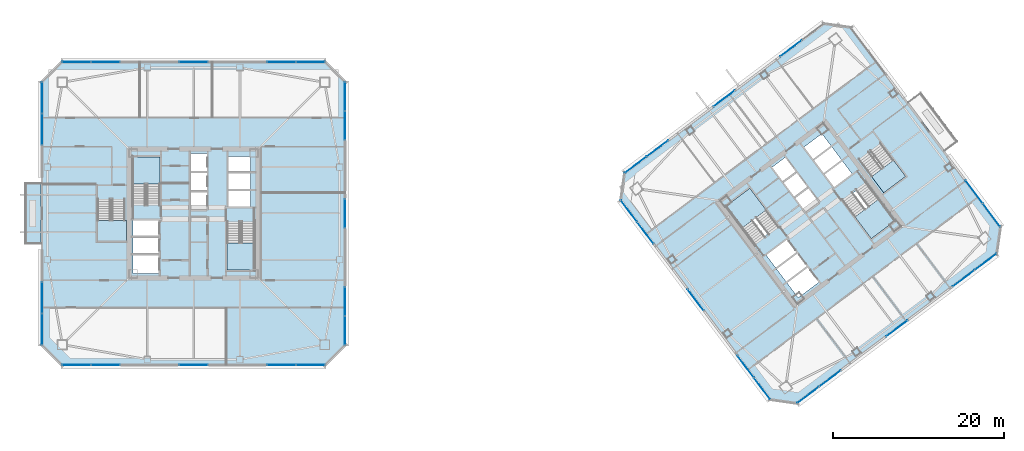
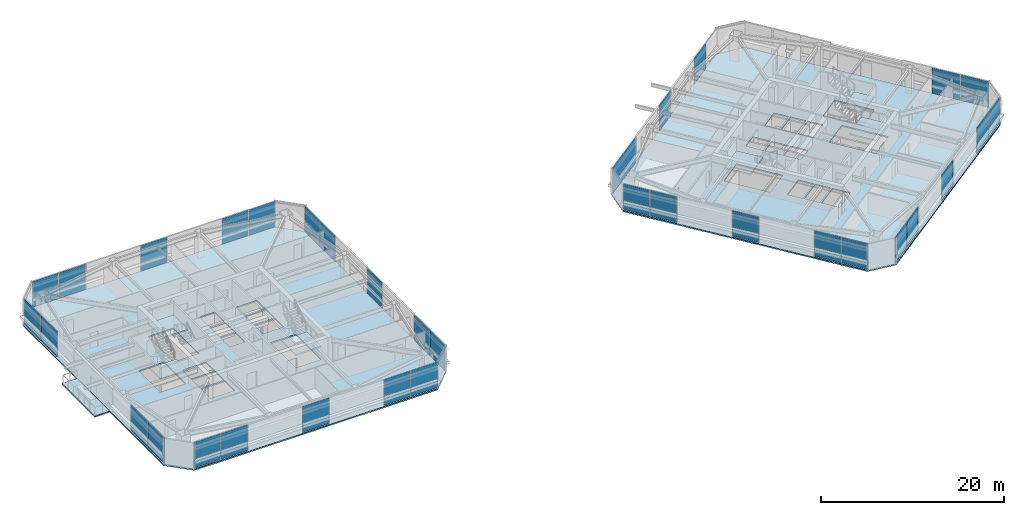
# One storey, part 31 of 43: 35 plates, 9 slabs, 27 elements without a shape of their own.
"""IFC4 building model written with IfcOpenShell, lengths in metres."""

from ifc_helpers import new_model, si_unit, direction, frame, origin, origin_2d, place, context, subcontext, project, spatial, polyline, rectangle, outline, extrude, material, layer, layer_set, type_object, element, aggregate, save


model = new_model("IFC4")

# Units and contexts
model_context = context("Model", 3, precision=1e-05, world=origin(), true_north=direction((0.0, 1.0)))
body_context = subcontext(model_context, "Body", "Model", "MODEL_VIEW")
ifc_project = project(units=[si_unit("LENGTHUNIT", "METRE"), si_unit("AREAUNIT", "SQUARE_METRE"), si_unit("VOLUMEUNIT", "CUBIC_METRE"), si_unit("PLANEANGLEUNIT", "RADIAN"), si_unit("MASSUNIT", "GRAM", prefix="KILO")], contexts=[model_context])

# Site, building, storey
site_placement = place(None, origin())
site = spatial("IfcSite", under=ifc_project, at=site_placement, CompositionType="ELEMENT")
building_placement = place(site_placement, origin())
building = spatial("IfcBuilding", under=site, at=building_placement, Name="Tashvorn Skyway Center", CompositionType="ELEMENT")
storey_placement = place(building_placement, frame((0.0, 0.0, 185.39990234375)))
storey = spatial("IfcBuildingStorey", under=building, at=storey_placement, Name="L50", CompositionType="ELEMENT", Elevation=185.39990234375)

# Curtain wall, plates
ifc_material_1 = material(Name="Thermally broken bronze-anodized aluminium 6063-T6", Category="aluminium")
curtain_wall_type = type_object("IfcCurtainWallType", Name="CW-CW-Z4", PredefinedType="NOTDEFINED", material=ifc_material_1)
curtain_wall_1_placement = place(storey_placement, origin())
curtain_wall_1 = element("IfcCurtainWall", 1, at=curtain_wall_1_placement, inside=storey, type_object=curtain_wall_type, Name="Tower 1 L50 South Unitised Curtain Wall Glazing Group 1", PredefinedType="NOTDEFINED")
ifc_material_2 = material(Name="Low-E solar-control double insulating safety glass", Category="glass")
ifc_layer_1 = layer(ifc_material_2, 0.035888671875)
ifc_layer_set_1 = layer_set([ifc_layer_1], Name="Low-E solar-control double insulating safety glass")
plate_type = type_object("IfcPlateType", Name="CWP-CW-Z4", PredefinedType="CURTAIN_PANEL", material=ifc_layer_set_1)
plate_1_placement = place(storey_placement, frame((55.653564453125, 14.320068359375, 0.0703125), z_axis=(0.0, 0.0, 1.0), x_axis=(-1.0, 0.0, 0.0)))
plate_1 = element("IfcPlate", 2, at=plate_1_placement, type_object=plate_type, Name="CW-Z4 panel 1.1", PredefinedType="CURTAIN_PANEL", context=body_context, shape_type="SweptSolid", body=[
    extrude(rectangle(XDim=3.312744140625, YDim=0.035888671875, at=origin_2d()), origin(), (0.0, 0.0, 1.0), 3.409912109375),
])
plate_2_placement = place(storey_placement, frame((52.270751953125, 14.320068359375, 0.0703125), z_axis=(0.0, 0.0, 1.0), x_axis=(-1.0, 0.0, 0.0)))
plate_2 = element("IfcPlate", 3, at=plate_2_placement, type_object=plate_type, Name="CW-Z4 panel 2.1", PredefinedType="CURTAIN_PANEL", context=body_context, shape_type="SweptSolid", body=[
    extrude(rectangle(XDim=3.312744140625, YDim=0.035888671875, at=origin_2d()), origin(), (0.0, 0.0, 1.0), 3.409912109375),
])
aggregate(curtain_wall_1, [plate_1, plate_2])

# Curtain wall, plate
curtain_wall_2_placement = place(storey_placement, origin())
curtain_wall_2 = element("IfcCurtainWall", 4, at=curtain_wall_2_placement, inside=storey, type_object=curtain_wall_type, Name="Tower 1 L50 South Unitised Curtain Wall Glazing Group 2", PredefinedType="NOTDEFINED")
plate_3_placement = place(storey_placement, frame((42.0, 14.320068359375, 0.0703125), z_axis=(0.0, 0.0, 1.0), x_axis=(-1.0, 0.0, 0.0)))
plate_3 = element("IfcPlate", 5, at=plate_3_placement, type_object=plate_type, Name="CW-Z4 panel 1.1", PredefinedType="CURTAIN_PANEL", context=body_context, shape_type="SweptSolid", body=[
    extrude(rectangle(XDim=3.27783203125, YDim=0.035888671875, at=origin_2d()), origin(), (0.0, 0.0, 1.0), 3.409912109375),
])
aggregate(curtain_wall_2, [plate_3])

# Curtain wall, plates
curtain_wall_3_placement = place(storey_placement, origin())
curtain_wall_3 = element("IfcCurtainWall", 6, at=curtain_wall_3_placement, inside=storey, type_object=curtain_wall_type, Name="Tower 1 L50 South Unitised Curtain Wall Glazing Group 3", PredefinedType="NOTDEFINED")
plate_4_placement = place(storey_placement, frame((31.729248046875, 14.320068359375, 0.0703125), z_axis=(0.0, 0.0, 1.0), x_axis=(-1.0, 0.0, 0.0)))
plate_4 = element("IfcPlate", 7, at=plate_4_placement, type_object=plate_type, Name="CW-Z4 panel 1.1", PredefinedType="CURTAIN_PANEL", context=body_context, shape_type="SweptSolid", body=[
    extrude(rectangle(XDim=3.312744140625, YDim=0.035888671875, at=origin_2d()), origin(), (0.0, 0.0, 1.0), 3.409912109375),
])
plate_5_placement = place(storey_placement, frame((28.346435546875, 14.320068359375, 0.0703125), z_axis=(0.0, 0.0, 1.0), x_axis=(-1.0, 0.0, 0.0)))
plate_5 = element("IfcPlate", 8, at=plate_5_placement, type_object=plate_type, Name="CW-Z4 panel 2.1", PredefinedType="CURTAIN_PANEL", context=body_context, shape_type="SweptSolid", body=[
    extrude(rectangle(XDim=3.312744140625, YDim=0.035888671875, at=origin_2d()), origin(), (0.0, 0.0, 1.0), 3.409912109375),
])
aggregate(curtain_wall_3, [plate_4, plate_5])

curtain_wall_4_placement = place(storey_placement, origin())
curtain_wall_4 = element("IfcCurtainWall", 9, at=curtain_wall_4_placement, inside=storey, type_object=curtain_wall_type, Name="Tower 1 L50 West Curtain Wall L Glazing Group 1", PredefinedType="NOTDEFINED")
plate_6_placement = place(storey_placement, frame((24.320068359375, 18.492431640625, 0.0703125), z_axis=(0.0, 0.0, 1.0), x_axis=(0.0, 1.0, 0.0)))
plate_6 = element("IfcPlate", 10, at=plate_6_placement, type_object=plate_type, Name="CW-Z4 panel 1.1", PredefinedType="CURTAIN_PANEL", context=body_context, shape_type="SweptSolid", body=[
    extrude(rectangle(XDim=3.60498046875, YDim=0.035888671875, at=origin_2d()), origin(), (0.0, 0.0, 1.0), 3.409912109375),
])
plate_7_placement = place(storey_placement, frame((24.320068359375, 22.16748046875, 0.0703125), z_axis=(0.0, 0.0, 1.0), x_axis=(0.0, 1.0, 0.0)))
plate_7 = element("IfcPlate", 11, at=plate_7_placement, type_object=plate_type, Name="CW-Z4 panel 2.1", PredefinedType="CURTAIN_PANEL", context=body_context, shape_type="SweptSolid", body=[
    extrude(rectangle(XDim=3.60498046875, YDim=0.035888671875, at=origin_2d()), origin(), (0.0, 0.0, 1.0), 3.409912109375),
])
aggregate(curtain_wall_4, [plate_6, plate_7])

curtain_wall_5_placement = place(storey_placement, origin())
curtain_wall_5 = element("IfcCurtainWall", 12, at=curtain_wall_5_placement, inside=storey, type_object=curtain_wall_type, Name="Tower 1 L50 West Curtain Wall R Glazing Group 1", PredefinedType="NOTDEFINED")
plate_8_placement = place(storey_placement, frame((24.320068359375, 41.83251953125, 0.0703125), z_axis=(0.0, 0.0, 1.0), x_axis=(0.0, 1.0, 0.0)))
plate_8 = element("IfcPlate", 13, at=plate_8_placement, type_object=plate_type, Name="CW-Z4 panel 1.1", PredefinedType="CURTAIN_PANEL", context=body_context, shape_type="SweptSolid", body=[
    extrude(rectangle(XDim=3.60498046875, YDim=0.035888671875, at=origin_2d()), origin(), (0.0, 0.0, 1.0), 3.409912109375),
])
plate_9_placement = place(storey_placement, frame((24.320068359375, 45.507568359375, 0.0703125), z_axis=(0.0, 0.0, 1.0), x_axis=(0.0, 1.0, 0.0)))
plate_9 = element("IfcPlate", 14, at=plate_9_placement, type_object=plate_type, Name="CW-Z4 panel 2.1", PredefinedType="CURTAIN_PANEL", context=body_context, shape_type="SweptSolid", body=[
    extrude(rectangle(XDim=3.60498046875, YDim=0.035888671875, at=origin_2d()), origin(), (0.0, 0.0, 1.0), 3.409912109375),
])
aggregate(curtain_wall_5, [plate_8, plate_9])

curtain_wall_6_placement = place(storey_placement, origin())
curtain_wall_6 = element("IfcCurtainWall", 15, at=curtain_wall_6_placement, inside=storey, type_object=curtain_wall_type, Name="Tower 1 L50 North Unitised Curtain Wall Glazing Group 1", PredefinedType="NOTDEFINED")
plate_10_placement = place(storey_placement, frame((28.346435546875, 49.679931640625, 0.0703125), z_axis=(0.0, 0.0, 1.0), x_axis=(1.0, 0.0, 0.0)))
plate_10 = element("IfcPlate", 16, at=plate_10_placement, type_object=plate_type, Name="CW-Z4 panel 1.1", PredefinedType="CURTAIN_PANEL", context=body_context, shape_type="SweptSolid", body=[
    extrude(rectangle(XDim=3.312744140625, YDim=0.035888671875, at=origin_2d()), origin(), (0.0, 0.0, 1.0), 3.409912109375),
])
plate_11_placement = place(storey_placement, frame((31.729248046875, 49.679931640625, 0.0703125), z_axis=(0.0, 0.0, 1.0), x_axis=(1.0, 0.0, 0.0)))
plate_11 = element("IfcPlate", 17, at=plate_11_placement, type_object=plate_type, Name="CW-Z4 panel 2.1", PredefinedType="CURTAIN_PANEL", context=body_context, shape_type="SweptSolid", body=[
    extrude(rectangle(XDim=3.312744140625, YDim=0.035888671875, at=origin_2d()), origin(), (0.0, 0.0, 1.0), 3.409912109375),
])
aggregate(curtain_wall_6, [plate_10, plate_11])

# Curtain wall, plate
curtain_wall_7_placement = place(storey_placement, origin())
curtain_wall_7 = element("IfcCurtainWall", 18, at=curtain_wall_7_placement, inside=storey, type_object=curtain_wall_type, Name="Tower 1 L50 North Unitised Curtain Wall Glazing Group 2", PredefinedType="NOTDEFINED")
plate_12_placement = place(storey_placement, frame((42.0, 49.679931640625, 0.0703125), z_axis=(0.0, 0.0, 1.0), x_axis=(1.0, 0.0, 0.0)))
plate_12 = element("IfcPlate", 19, at=plate_12_placement, type_object=plate_type, Name="CW-Z4 panel 1.1", PredefinedType="CURTAIN_PANEL", context=body_context, shape_type="SweptSolid", body=[
    extrude(rectangle(XDim=3.27783203125, YDim=0.035888671875, at=origin_2d()), origin(), (0.0, 0.0, 1.0), 3.409912109375),
])
aggregate(curtain_wall_7, [plate_12])

# Curtain wall, plates
curtain_wall_8_placement = place(storey_placement, origin())
curtain_wall_8 = element("IfcCurtainWall", 20, at=curtain_wall_8_placement, inside=storey, type_object=curtain_wall_type, Name="Tower 1 L50 North Unitised Curtain Wall Glazing Group 3", PredefinedType="NOTDEFINED")
plate_13_placement = place(storey_placement, frame((52.270751953125, 49.679931640625, 0.0703125), z_axis=(0.0, 0.0, 1.0), x_axis=(1.0, 0.0, 0.0)))
plate_13 = element("IfcPlate", 21, at=plate_13_placement, type_object=plate_type, Name="CW-Z4 panel 1.1", PredefinedType="CURTAIN_PANEL", context=body_context, shape_type="SweptSolid", body=[
    extrude(rectangle(XDim=3.312744140625, YDim=0.035888671875, at=origin_2d()), origin(), (0.0, 0.0, 1.0), 3.409912109375),
])
plate_14_placement = place(storey_placement, frame((55.653564453125, 49.679931640625, 0.0703125), z_axis=(0.0, 0.0, 1.0), x_axis=(1.0, 0.0, 0.0)))
plate_14 = element("IfcPlate", 22, at=plate_14_placement, type_object=plate_type, Name="CW-Z4 panel 2.1", PredefinedType="CURTAIN_PANEL", context=body_context, shape_type="SweptSolid", body=[
    extrude(rectangle(XDim=3.312744140625, YDim=0.035888671875, at=origin_2d()), origin(), (0.0, 0.0, 1.0), 3.409912109375),
])
aggregate(curtain_wall_8, [plate_13, plate_14])

curtain_wall_9_placement = place(storey_placement, origin())
curtain_wall_9 = element("IfcCurtainWall", 23, at=curtain_wall_9_placement, inside=storey, type_object=curtain_wall_type, Name="Tower 1 L50 East Unitised Curtain Wall Glazing Group 1", PredefinedType="NOTDEFINED")
plate_15_placement = place(storey_placement, frame((59.679931640625, 45.653564453125, 0.0703125), z_axis=(0.0, 0.0, 1.0), x_axis=(0.0, -1.0, 0.0)))
plate_15 = element("IfcPlate", 24, at=plate_15_placement, type_object=plate_type, Name="CW-Z4 panel 1.1", PredefinedType="CURTAIN_PANEL", context=body_context, shape_type="SweptSolid", body=[
    extrude(rectangle(XDim=3.312744140625, YDim=0.035888671875, at=origin_2d()), origin(), (0.0, 0.0, 1.0), 3.409912109375),
])
plate_16_placement = place(storey_placement, frame((59.679931640625, 42.270751953125, 0.0703125), z_axis=(0.0, 0.0, 1.0), x_axis=(0.0, -1.0, 0.0)))
plate_16 = element("IfcPlate", 25, at=plate_16_placement, type_object=plate_type, Name="CW-Z4 panel 2.1", PredefinedType="CURTAIN_PANEL", context=body_context, shape_type="SweptSolid", body=[
    extrude(rectangle(XDim=3.312744140625, YDim=0.035888671875, at=origin_2d()), origin(), (0.0, 0.0, 1.0), 3.409912109375),
])
aggregate(curtain_wall_9, [plate_15, plate_16])

# Curtain wall, plate
curtain_wall_10_placement = place(storey_placement, origin())
curtain_wall_10 = element("IfcCurtainWall", 26, at=curtain_wall_10_placement, inside=storey, type_object=curtain_wall_type, Name="Tower 1 L50 East Unitised Curtain Wall Glazing Group 2", PredefinedType="NOTDEFINED")
plate_17_placement = place(storey_placement, frame((59.679931640625, 32.0, 0.0703125), z_axis=(0.0, 0.0, 1.0), x_axis=(0.0, -1.0, 0.0)))
plate_17 = element("IfcPlate", 27, at=plate_17_placement, type_object=plate_type, Name="CW-Z4 panel 1.1", PredefinedType="CURTAIN_PANEL", context=body_context, shape_type="SweptSolid", body=[
    extrude(rectangle(XDim=3.27783203125, YDim=0.035888671875, at=origin_2d()), origin(), (0.0, 0.0, 1.0), 3.409912109375),
])
aggregate(curtain_wall_10, [plate_17])

# Curtain wall, plates
curtain_wall_11_placement = place(storey_placement, origin())
curtain_wall_11 = element("IfcCurtainWall", 28, at=curtain_wall_11_placement, inside=storey, type_object=curtain_wall_type, Name="Tower 1 L50 East Unitised Curtain Wall Glazing Group 3", PredefinedType="NOTDEFINED")
plate_18_placement = place(storey_placement, frame((59.679931640625, 21.729248046875, 0.0703125), z_axis=(0.0, 0.0, 1.0), x_axis=(0.0, -1.0, 0.0)))
plate_18 = element("IfcPlate", 29, at=plate_18_placement, type_object=plate_type, Name="CW-Z4 panel 1.1", PredefinedType="CURTAIN_PANEL", context=body_context, shape_type="SweptSolid", body=[
    extrude(rectangle(XDim=3.312744140625, YDim=0.035888671875, at=origin_2d()), origin(), (0.0, 0.0, 1.0), 3.409912109375),
])
plate_19_placement = place(storey_placement, frame((59.679931640625, 18.346435546875, 0.0703125), z_axis=(0.0, 0.0, 1.0), x_axis=(0.0, -1.0, 0.0)))
plate_19 = element("IfcPlate", 30, at=plate_19_placement, type_object=plate_type, Name="CW-Z4 panel 2.1", PredefinedType="CURTAIN_PANEL", context=body_context, shape_type="SweptSolid", body=[
    extrude(rectangle(XDim=3.312744140625, YDim=0.035888671875, at=origin_2d()), origin(), (0.0, 0.0, 1.0), 3.409912109375),
])
aggregate(curtain_wall_11, [plate_18, plate_19])

curtain_wall_12_placement = place(storey_placement, origin())
curtain_wall_12 = element("IfcCurtainWall", 31, at=curtain_wall_12_placement, inside=storey, type_object=curtain_wall_type, Name="Tower 2 L50 South Unitised Curtain Wall Glazing Group 1", PredefinedType="NOTDEFINED")
plate_20_placement = place(storey_placement, frame((134.422119140625, 26.341552734375, 0.0703125), z_axis=(0.0, 0.0, 1.0), x_axis=(-0.799999999998, -0.600000000002, 0.0)))
plate_20 = element("IfcPlate", 32, at=plate_20_placement, type_object=plate_type, Name="CW-Z4 panel 1.1", PredefinedType="CURTAIN_PANEL", context=body_context, shape_type="SweptSolid", body=[
    extrude(rectangle(XDim=3.135009765625, YDim=0.035888671875, at=origin_2d()), origin(), (0.0, 0.0, 1.0), 3.409912109375),
])
plate_21_placement = place(storey_placement, frame((131.85791015625, 24.41845703125, 0.0703125), z_axis=(0.0, 0.0, 1.0), x_axis=(-0.799999999998, -0.600000000002, 0.0)))
plate_21 = element("IfcPlate", 33, at=plate_21_placement, type_object=plate_type, Name="CW-Z4 panel 2.1", PredefinedType="CURTAIN_PANEL", context=body_context, shape_type="SweptSolid", body=[
    extrude(rectangle(XDim=3.135009765625, YDim=0.035888671875, at=origin_2d()), origin(), (0.0, 0.0, 1.0), 3.409912109375),
])
aggregate(curtain_wall_12, [plate_20, plate_21])

# Curtain wall, plate
curtain_wall_13_placement = place(storey_placement, origin())
curtain_wall_13 = element("IfcCurtainWall", 34, at=curtain_wall_13_placement, inside=storey, type_object=curtain_wall_type, Name="Tower 2 L50 South Unitised Curtain Wall Glazing Group 2", PredefinedType="NOTDEFINED")
plate_22_placement = place(storey_placement, frame((124.068115234375, 18.575927734375, 0.0703125), z_axis=(0.0, 0.0, 1.0), x_axis=(-0.799999999998, -0.600000000002, 0.0)))
plate_22 = element("IfcPlate", 35, at=plate_22_placement, type_object=plate_type, Name="CW-Z4 panel 1.1", PredefinedType="CURTAIN_PANEL", context=body_context, shape_type="SweptSolid", body=[
    extrude(rectangle(XDim=3.10009765625, YDim=0.035888671875, at=origin_2d()), origin(), (0.0, 0.0, 1.0), 3.409912109375),
])
aggregate(curtain_wall_13, [plate_22])

# Curtain wall, plates
curtain_wall_14_placement = place(storey_placement, origin())
curtain_wall_14 = element("IfcCurtainWall", 36, at=curtain_wall_14_placement, inside=storey, type_object=curtain_wall_type, Name="Tower 2 L50 South Unitised Curtain Wall Glazing Group 3", PredefinedType="NOTDEFINED")
plate_23_placement = place(storey_placement, frame((116.278076171875, 12.7333984375, 0.0703125), z_axis=(0.0, 0.0, 1.0), x_axis=(-0.799999999998, -0.600000000002, 0.0)))
plate_23 = element("IfcPlate", 37, at=plate_23_placement, type_object=plate_type, Name="CW-Z4 panel 1.1", PredefinedType="CURTAIN_PANEL", context=body_context, shape_type="SweptSolid", body=[
    extrude(rectangle(XDim=3.135009765625, YDim=0.035888671875, at=origin_2d()), origin(), (0.0, 0.0, 1.0), 3.409912109375),
])
plate_24_placement = place(storey_placement, frame((113.714111328125, 10.810546875, 0.0703125), z_axis=(0.0, 0.0, 1.0), x_axis=(-0.799999999998, -0.600000000002, 0.0)))
plate_24 = element("IfcPlate", 38, at=plate_24_placement, type_object=plate_type, Name="CW-Z4 panel 2.1", PredefinedType="CURTAIN_PANEL", context=body_context, shape_type="SweptSolid", body=[
    extrude(rectangle(XDim=3.135009765625, YDim=0.035888671875, at=origin_2d()), origin(), (0.0, 0.0, 1.0), 3.409912109375),
])
aggregate(curtain_wall_14, [plate_23, plate_24])

curtain_wall_15_placement = place(storey_placement, origin())
curtain_wall_15 = element("IfcCurtainWall", 39, at=curtain_wall_15_placement, inside=storey, type_object=curtain_wall_type, Name="Tower 2 L50 West Unitised Curtain Wall Glazing Group 1", PredefinedType="NOTDEFINED")
plate_25_placement = place(storey_placement, frame((108.341552734375, 11.577880859375, 0.0703125), z_axis=(0.0, 0.0, 1.0), x_axis=(-0.600000000002, 0.799999999998, 0.0)))
plate_25 = element("IfcPlate", 40, at=plate_25_placement, type_object=plate_type, Name="CW-Z4 panel 1.1", PredefinedType="CURTAIN_PANEL", context=body_context, shape_type="SweptSolid", body=[
    extrude(rectangle(XDim=3.135009765625, YDim=0.035888671875, at=origin_2d()), origin(), (0.0, 0.0, 1.0), 3.409912109375),
])
plate_26_placement = place(storey_placement, frame((106.41845703125, 14.14208984375, 0.0703125), z_axis=(0.0, 0.0, 1.0), x_axis=(-0.600000000002, 0.799999999998, 0.0)))
plate_26 = element("IfcPlate", 41, at=plate_26_placement, type_object=plate_type, Name="CW-Z4 panel 2.1", PredefinedType="CURTAIN_PANEL", context=body_context, shape_type="SweptSolid", body=[
    extrude(rectangle(XDim=3.135009765625, YDim=0.035888671875, at=origin_2d()), origin(), (0.0, 0.0, 1.0), 3.409912109375),
])
aggregate(curtain_wall_15, [plate_25, plate_26])

# Curtain wall, plate
curtain_wall_16_placement = place(storey_placement, origin())
curtain_wall_16 = element("IfcCurtainWall", 42, at=curtain_wall_16_placement, inside=storey, type_object=curtain_wall_type, Name="Tower 2 L50 West Unitised Curtain Wall Glazing Group 2", PredefinedType="NOTDEFINED")
plate_27_placement = place(storey_placement, frame((100.575927734375, 21.931884765625, 0.0703125), z_axis=(0.0, 0.0, 1.0), x_axis=(-0.600000000002, 0.799999999998, 0.0)))
plate_27 = element("IfcPlate", 43, at=plate_27_placement, type_object=plate_type, Name="CW-Z4 panel 1.1", PredefinedType="CURTAIN_PANEL", context=body_context, shape_type="SweptSolid", body=[
    extrude(rectangle(XDim=3.10009765625, YDim=0.035888671875, at=origin_2d()), origin(), (0.0, 0.0, 1.0), 3.409912109375),
])
aggregate(curtain_wall_16, [plate_27])

# Curtain wall, plates
curtain_wall_17_placement = place(storey_placement, origin())
curtain_wall_17 = element("IfcCurtainWall", 44, at=curtain_wall_17_placement, inside=storey, type_object=curtain_wall_type, Name="Tower 2 L50 West Unitised Curtain Wall Glazing Group 3", PredefinedType="NOTDEFINED")
plate_28_placement = place(storey_placement, frame((94.7333984375, 29.721923828125, 0.0703125), z_axis=(0.0, 0.0, 1.0), x_axis=(-0.600000000002, 0.799999999998, 0.0)))
plate_28 = element("IfcPlate", 45, at=plate_28_placement, type_object=plate_type, Name="CW-Z4 panel 1.1", PredefinedType="CURTAIN_PANEL", context=body_context, shape_type="SweptSolid", body=[
    extrude(rectangle(XDim=3.135009765625, YDim=0.035888671875, at=origin_2d()), origin(), (0.0, 0.0, 1.0), 3.409912109375),
])
plate_29_placement = place(storey_placement, frame((92.810546875, 32.285888671875, 0.0703125), z_axis=(0.0, 0.0, 1.0), x_axis=(-0.600000000002, 0.799999999998, 0.0)))
plate_29 = element("IfcPlate", 46, at=plate_29_placement, type_object=plate_type, Name="CW-Z4 panel 2.1", PredefinedType="CURTAIN_PANEL", context=body_context, shape_type="SweptSolid", body=[
    extrude(rectangle(XDim=3.135009765625, YDim=0.035888671875, at=origin_2d()), origin(), (0.0, 0.0, 1.0), 3.409912109375),
])
aggregate(curtain_wall_17, [plate_28, plate_29])

curtain_wall_18_placement = place(storey_placement, origin())
curtain_wall_18 = element("IfcCurtainWall", 47, at=curtain_wall_18_placement, inside=storey, type_object=curtain_wall_type, Name="Tower 2 L50 North Unitised Curtain Wall Glazing Group 1", PredefinedType="NOTDEFINED")
plate_30_placement = place(storey_placement, frame((93.577880859375, 37.658447265625, 0.0703125), z_axis=(0.0, 0.0, 1.0), x_axis=(0.799999999998, 0.600000000002, 0.0)))
plate_30 = element("IfcPlate", 48, at=plate_30_placement, type_object=plate_type, Name="CW-Z4 panel 1.1", PredefinedType="CURTAIN_PANEL", context=body_context, shape_type="SweptSolid", body=[
    extrude(rectangle(XDim=3.135009765625, YDim=0.035888671875, at=origin_2d()), origin(), (0.0, 0.0, 1.0), 3.409912109375),
])
plate_31_placement = place(storey_placement, frame((96.14208984375, 39.58154296875, 0.0703125), z_axis=(0.0, 0.0, 1.0), x_axis=(0.799999999998, 0.600000000002, 0.0)))
plate_31 = element("IfcPlate", 49, at=plate_31_placement, type_object=plate_type, Name="CW-Z4 panel 2.1", PredefinedType="CURTAIN_PANEL", context=body_context, shape_type="SweptSolid", body=[
    extrude(rectangle(XDim=3.135009765625, YDim=0.035888671875, at=origin_2d()), origin(), (0.0, 0.0, 1.0), 3.409912109375),
])
aggregate(curtain_wall_18, [plate_30, plate_31])

# Curtain wall, plate
curtain_wall_19_placement = place(storey_placement, origin())
curtain_wall_19 = element("IfcCurtainWall", 50, at=curtain_wall_19_placement, inside=storey, type_object=curtain_wall_type, Name="Tower 2 L50 North Unitised Curtain Wall Glazing Group 2", PredefinedType="NOTDEFINED")
plate_32_placement = place(storey_placement, frame((103.931884765625, 45.424072265625, 0.0703125), z_axis=(0.0, 0.0, 1.0), x_axis=(0.799999999998, 0.600000000002, 0.0)))
plate_32 = element("IfcPlate", 51, at=plate_32_placement, type_object=plate_type, Name="CW-Z4 panel 1.1", PredefinedType="CURTAIN_PANEL", context=body_context, shape_type="SweptSolid", body=[
    extrude(rectangle(XDim=3.10009765625, YDim=0.035888671875, at=origin_2d()), origin(), (0.0, 0.0, 1.0), 3.409912109375),
])
aggregate(curtain_wall_19, [plate_32])

curtain_wall_20_placement = place(storey_placement, origin())
curtain_wall_20 = element("IfcCurtainWall", 52, at=curtain_wall_20_placement, inside=storey, type_object=curtain_wall_type, Name="Tower 2 L50 North Unitised Curtain Wall Glazing Group 3", PredefinedType="NOTDEFINED")
plate_33_placement = place(storey_placement, frame((111.721923828125, 51.2666015625, 0.0703125), z_axis=(0.0, 0.0, 1.0), x_axis=(0.799999999998, 0.600000000002, 0.0)))
plate_33 = element("IfcPlate", 53, at=plate_33_placement, type_object=plate_type, Name="CW-Z4 panel 1.1", PredefinedType="CURTAIN_PANEL", context=body_context, shape_type="SweptSolid", body=[
    extrude(rectangle(XDim=3.135009765625, YDim=0.035888671875, at=origin_2d()), origin(), (0.0, 0.0, 1.0), 3.409912109375),
])
aggregate(curtain_wall_20, [plate_33])

# Curtain wall, plates
curtain_wall_21_placement = place(storey_placement, origin())
curtain_wall_21 = element("IfcCurtainWall", 54, at=curtain_wall_21_placement, inside=storey, type_object=curtain_wall_type, Name="Tower 2 L50 East Curtain Wall R Glazing Group 1", PredefinedType="NOTDEFINED")
plate_34_placement = place(storey_placement, frame((133.08349609375, 34.52197265625, 0.0703125), z_axis=(0.0, 0.0, 1.0), x_axis=(0.60000232334, -0.79999825749, 0.0)))
plate_34 = element("IfcPlate", 55, at=plate_34_placement, type_object=plate_type, Name="CW-Z4 panel 1.1", PredefinedType="CURTAIN_PANEL", context=body_context, shape_type="SweptSolid", body=[
    extrude(rectangle(XDim=3.33837890625, YDim=0.035888671875, at=origin_2d()), origin(), (0.0, 0.0, 1.0), 3.409912109375),
])
plate_35_placement = place(storey_placement, frame((135.12841796875, 31.79541015625, 0.0703125), z_axis=(0.0, 0.0, 1.0), x_axis=(0.60000232334, -0.79999825749, 0.0)))
plate_35 = element("IfcPlate", 56, at=plate_35_placement, type_object=plate_type, Name="CW-Z4 panel 2.1", PredefinedType="CURTAIN_PANEL", context=body_context, shape_type="SweptSolid", body=[
    extrude(rectangle(XDim=3.33837890625, YDim=0.035888671875, at=origin_2d()), origin(), (0.0, 0.0, 1.0), 3.409912109375),
])
aggregate(curtain_wall_21, [plate_34, plate_35])

# Slabs
ifc_material_3 = material(Name="Concrete C40/50", Category="concrete")
ifc_layer_2 = layer(ifc_material_3, 0.179931640625)
ifc_layer_set_2 = layer_set([ifc_layer_2], Name="Concrete C40/50")
slab_type_1 = type_object("IfcSlabType", Name="SLAB-FLR-180", PredefinedType="FLOOR", material=ifc_layer_set_2)
slab_1_placement = place(storey_placement, frame((0.0, 0.0, -0.179931640625)))
element("IfcSlab", 57, at=slab_1_placement, inside=storey, type_object=slab_type_1, Name="Tower 1 L50 Composite Floor Slab", PredefinedType="FLOOR", context=body_context, shape_type="SweptSolid", body=[
    extrude(outline(polyline([(26.699951171875, 14.199951171875), (57.300048828125, 14.199951171875), (59.800048828125, 16.699951171875), (59.800048828125, 47.300048828125), (57.300048828125, 49.800048828125), (26.699951171875, 49.800048828125), (24.199951171875, 47.300048828125), (24.199951171875, 16.699951171875), (26.699951171875, 14.199951171875)]), holes=[polyline([(38.10009765625, 33.080078125), (38.10009765625, 38.60009765625), (34.89990234375, 38.60009765625), (34.89990234375, 33.080078125), (38.10009765625, 33.080078125)]), polyline([(45.89990234375, 30.919921875), (45.89990234375, 25.39990234375), (49.10009765625, 25.39990234375), (49.10009765625, 30.919921875), (45.89990234375, 30.919921875)]), polyline([(30.800048828125, 33.52001953125), (30.800048828125, 28.800048828125), (34.0, 28.800048828125), (34.0, 33.52001953125), (30.800048828125, 33.52001953125)]), polyline([(34.949951171875, 29.35009765625), (37.949951171875, 29.35009765625), (37.949951171875, 31.199951171875), (34.949951171875, 31.199951171875), (34.949951171875, 29.35009765625)]), polyline([(34.949951171875, 27.35009765625), (37.949951171875, 27.35009765625), (37.949951171875, 29.199951171875), (34.949951171875, 29.199951171875), (34.949951171875, 27.35009765625)]), polyline([(34.949951171875, 25.0), (37.949951171875, 25.0), (37.949951171875, 27.14990234375), (34.949951171875, 27.14990234375), (34.949951171875, 25.0)]), polyline([(41.64990234375, 32.449951171875), (43.550048828125, 32.449951171875), (43.550048828125, 34.5), (41.64990234375, 34.5), (41.64990234375, 32.449951171875)]), polyline([(41.64990234375, 34.699951171875), (43.550048828125, 34.699951171875), (43.550048828125, 36.75), (41.64990234375, 36.75), (41.64990234375, 34.699951171875)]), polyline([(41.64990234375, 36.949951171875), (43.550048828125, 36.949951171875), (43.550048828125, 39.0), (41.64990234375, 39.0), (41.64990234375, 36.949951171875)]), polyline([(46.050048828125, 32.800048828125), (48.64990234375, 32.800048828125), (48.64990234375, 34.64990234375), (46.050048828125, 34.64990234375), (46.050048828125, 32.800048828125)]), polyline([(46.050048828125, 34.85009765625), (48.64990234375, 34.85009765625), (48.64990234375, 36.699951171875), (46.050048828125, 36.699951171875), (46.050048828125, 34.85009765625)]), polyline([(46.050048828125, 36.89990234375), (48.64990234375, 36.89990234375), (48.64990234375, 38.64990234375), (46.050048828125, 38.64990234375), (46.050048828125, 36.89990234375)])]), origin(), (0.0, 0.0, 1.0), 0.179931640625),
])
slab_2_placement = place(storey_placement, frame((0.0, 0.0, -0.179931640625)))
element("IfcSlab", 58, at=slab_2_placement, inside=storey, type_object=slab_type_1, Name="Tower 2 L50 Composite Floor Slab", PredefinedType="FLOOR", context=body_context, shape_type="SweptSolid", body=[
    extrude(outline(polyline([(112.5400390625, 9.780029296875), (135.739990234375, 27.179931640625), (136.219970703125, 30.5400390625), (118.820068359375, 53.739990234375), (115.4599609375, 54.219970703125), (92.260009765625, 36.820068359375), (91.780029296875, 33.4599609375), (109.179931640625, 10.260009765625), (112.5400390625, 9.780029296875)]), holes=[polyline([(110.23193359375, 30.52392578125), (106.919921875, 34.93994140625), (104.135986328125, 32.85205078125), (107.447998046875, 28.43603515625), (110.23193359375, 30.52392578125)]), polyline([(117.76806640625, 33.47607421875), (121.080078125, 29.06005859375), (123.864013671875, 31.14794921875), (120.552001953125, 35.56396484375), (117.76806640625, 33.47607421875)]), polyline([(119.7119140625, 38.18408203125), (122.5439453125, 34.407958984375), (125.10400390625, 36.327880859375), (122.27197265625, 40.10400390625), (119.7119140625, 38.18408203125)]), polyline([(109.949951171875, 25.64990234375), (112.35009765625, 27.449951171875), (111.239990234375, 28.929931640625), (108.840087890625, 27.1298828125), (109.949951171875, 25.64990234375)]), polyline([(111.14990234375, 24.050048828125), (113.550048828125, 25.85009765625), (112.43994140625, 27.330078125), (110.0400390625, 25.530029296875), (111.14990234375, 24.050048828125)]), polyline([(112.56005859375, 22.169921875), (114.9599609375, 23.969970703125), (113.669921875, 25.68994140625), (111.27001953125, 23.889892578125), (112.56005859375, 22.169921875)]), polyline([(113.449951171875, 32.14990234375), (114.969970703125, 33.2900390625), (113.739990234375, 34.929931640625), (112.219970703125, 33.7900390625), (113.449951171875, 32.14990234375)]), polyline([(112.10009765625, 33.949951171875), (113.6201171875, 35.090087890625), (112.389892578125, 36.72998046875), (110.8701171875, 35.590087890625), (112.10009765625, 33.949951171875)]), polyline([(110.75, 35.75), (112.27001953125, 36.889892578125), (111.0400390625, 38.530029296875), (109.52001953125, 37.389892578125), (110.75, 35.75)]), polyline([(116.760009765625, 35.070068359375), (118.840087890625, 36.6298828125), (117.72998046875, 38.110107421875), (115.64990234375, 36.550048828125), (116.760009765625, 35.070068359375)]), polyline([(115.530029296875, 36.7099609375), (117.610107421875, 38.27001953125), (116.5, 39.75), (114.419921875, 38.18994140625), (115.530029296875, 36.7099609375)]), polyline([(114.300048828125, 38.35009765625), (116.3798828125, 39.909912109375), (115.330078125, 41.31005859375), (113.25, 39.75), (114.300048828125, 38.35009765625)])]), origin(), (0.0, 0.0, 1.0), 0.179931640625),
])

# Stair, slab
stair_type = type_object("IfcStairType", Name="STAIR-CORE-1500", PredefinedType="HALF_TURN_STAIR", material=ifc_material_3)
stair_1_placement = place(storey_placement, origin())
stair_1 = element("IfcStair", 59, at=stair_1_placement, inside=storey, type_object=stair_type, Name="L50 Tower 1 Exit Stair 1", PredefinedType="HALF_TURN_STAIR")
ifc_layer_3 = layer(ifc_material_3, 0.199951171875)
ifc_layer_set_3 = layer_set([ifc_layer_3], Name="Concrete C40/50")
slab_type_2 = type_object("IfcSlabType", Name="SLAB-LAND-200", PredefinedType="LANDING", material=ifc_layer_set_3)
slab_3_placement = place(storey_placement, frame((0.0, 0.0, 1.5751953125)))
slab_3 = element("IfcSlab", 60, at=slab_3_placement, type_object=slab_type_2, Name="ST-T1-1 landing 1", PredefinedType="LANDING", context=body_context, shape_type="SweptSolid", body=[
    extrude(outline(polyline([(38.10009765625, 35.43994140625), (38.10009765625, 38.60009765625), (34.89990234375, 38.60009765625), (34.89990234375, 35.43994140625), (38.10009765625, 35.43994140625)])), origin(), (0.0, 0.0, 1.0), 0.199951171875),
])
aggregate(stair_1, [slab_3])

stair_2_placement = place(storey_placement, origin())
stair_2 = element("IfcStair", 61, at=stair_2_placement, inside=storey, type_object=stair_type, Name="L50 Tower 1 Exit Stair 2", PredefinedType="HALF_TURN_STAIR")
slab_4_placement = place(storey_placement, frame((0.0, 0.0, 1.5751953125)))
slab_4 = element("IfcSlab", 62, at=slab_4_placement, type_object=slab_type_2, Name="ST-T1-2 landing 1", PredefinedType="LANDING", context=body_context, shape_type="SweptSolid", body=[
    extrude(outline(polyline([(45.89990234375, 28.56005859375), (45.89990234375, 25.39990234375), (49.10009765625, 25.39990234375), (49.10009765625, 28.56005859375), (45.89990234375, 28.56005859375)])), origin(), (0.0, 0.0, 1.0), 0.199951171875),
])
aggregate(stair_2, [slab_4])

stair_3_placement = place(storey_placement, origin())
stair_3 = element("IfcStair", 63, at=stair_3_placement, inside=storey, type_object=stair_type, Name="L50 Tower 2 Exit Stair 1", PredefinedType="HALF_TURN_STAIR")
slab_5_placement = place(storey_placement, frame((0.0, 0.0, 1.5751953125)))
slab_5 = element("IfcSlab", 64, at=slab_5_placement, type_object=slab_type_2, Name="ST-T2-1 landing 1", PredefinedType="LANDING", context=body_context, shape_type="SweptSolid", body=[
    extrude(outline(polyline([(108.82080078125, 32.405517578125), (106.919921875, 34.93994140625), (104.135986328125, 32.85205078125), (106.036865234375, 30.317626953125), (108.82080078125, 32.405517578125)])), origin(), (0.0, 0.0, 1.0), 0.199951171875),
])
aggregate(stair_3, [slab_5])

stair_4_placement = place(storey_placement, origin())
stair_4 = element("IfcStair", 65, at=stair_4_placement, inside=storey, type_object=stair_type, Name="L50 Tower 2 Exit Stair 2", PredefinedType="HALF_TURN_STAIR")
slab_6_placement = place(storey_placement, frame((0.0, 0.0, 1.5751953125)))
slab_6 = element("IfcSlab", 66, at=slab_6_placement, type_object=slab_type_2, Name="ST-T2-2 landing 1", PredefinedType="LANDING", context=body_context, shape_type="SweptSolid", body=[
    extrude(outline(polyline([(119.17919921875, 31.594482421875), (121.080078125, 29.06005859375), (123.864013671875, 31.14794921875), (121.963134765625, 33.682373046875), (119.17919921875, 31.594482421875)])), origin(), (0.0, 0.0, 1.0), 0.199951171875),
])
aggregate(stair_4, [slab_6])

stair_5_placement = place(storey_placement, origin())
stair_5 = element("IfcStair", 67, at=stair_5_placement, inside=storey, type_object=stair_type, Name="L50 Tower 1 Exit Stair 3", PredefinedType="HALF_TURN_STAIR")
slab_7_placement = place(storey_placement, frame((0.0, 0.0, 1.5751953125)))
slab_7 = element("IfcSlab", 68, at=slab_7_placement, type_object=slab_type_2, Name="ST-T1-3 landing 1", PredefinedType="LANDING", context=body_context, shape_type="SweptSolid", body=[
    extrude(outline(polyline([(30.800048828125, 31.159912109375), (30.800048828125, 28.800048828125), (34.199951171875, 28.800048828125), (34.199951171875, 31.159912109375), (30.800048828125, 31.159912109375)])), origin(), (0.0, 0.0, 1.0), 0.199951171875),
])
aggregate(stair_5, [slab_7])

stair_6_placement = place(storey_placement, origin())
stair_6 = element("IfcStair", 69, at=stair_6_placement, inside=storey, type_object=stair_type, Name="L50 Tower 2 Exit Stair 3", PredefinedType="HALF_TURN_STAIR")
slab_8_placement = place(storey_placement, frame((0.0, 0.0, 1.5751953125)))
slab_8 = element("IfcSlab", 70, at=slab_8_placement, type_object=slab_type_2, Name="ST-T2-3 landing 1", PredefinedType="LANDING", context=body_context, shape_type="SweptSolid", body=[
    extrude(outline(polyline([(121.123291015625, 36.302490234375), (122.5439453125, 34.407958984375), (125.10400390625, 36.327880859375), (123.68310546875, 38.222412109375), (121.123291015625, 36.302490234375)])), origin(), (0.0, 0.0, 1.0), 0.199951171875),
])
aggregate(stair_6, [slab_8])

# Slab
ifc_layer_4 = layer(ifc_material_3, 0.179931640625)
ifc_layer_set_4 = layer_set([ifc_layer_4], Name="Concrete C40/50")
slab_type_3 = type_object("IfcSlabType", Name="SLAB-TERR-200", PredefinedType="FLOOR", material=ifc_layer_set_4)
slab_9_placement = place(storey_placement, frame((0.0, 0.0, -0.179931640625)))
element("IfcSlab", 71, at=slab_9_placement, inside=storey, type_object=slab_type_3, Name="Tower 1 L50 Spiral Planted Terrace Slab", PredefinedType="FLOOR", context=body_context, shape_type="SweptSolid", body=[
    extrude(outline(polyline([(22.300048828125, 28.39990234375), (24.2099609375, 28.39990234375), (24.2099609375, 35.60009765625), (22.300048828125, 35.60009765625), (22.300048828125, 28.39990234375)])), origin(), (0.0, 0.0, 1.0), 0.179931640625),
])

save(model, "model.ifc")
